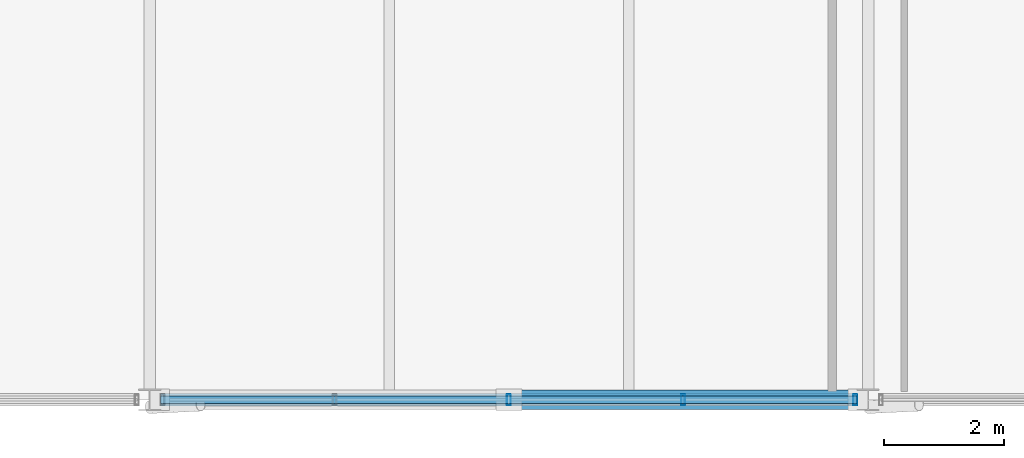
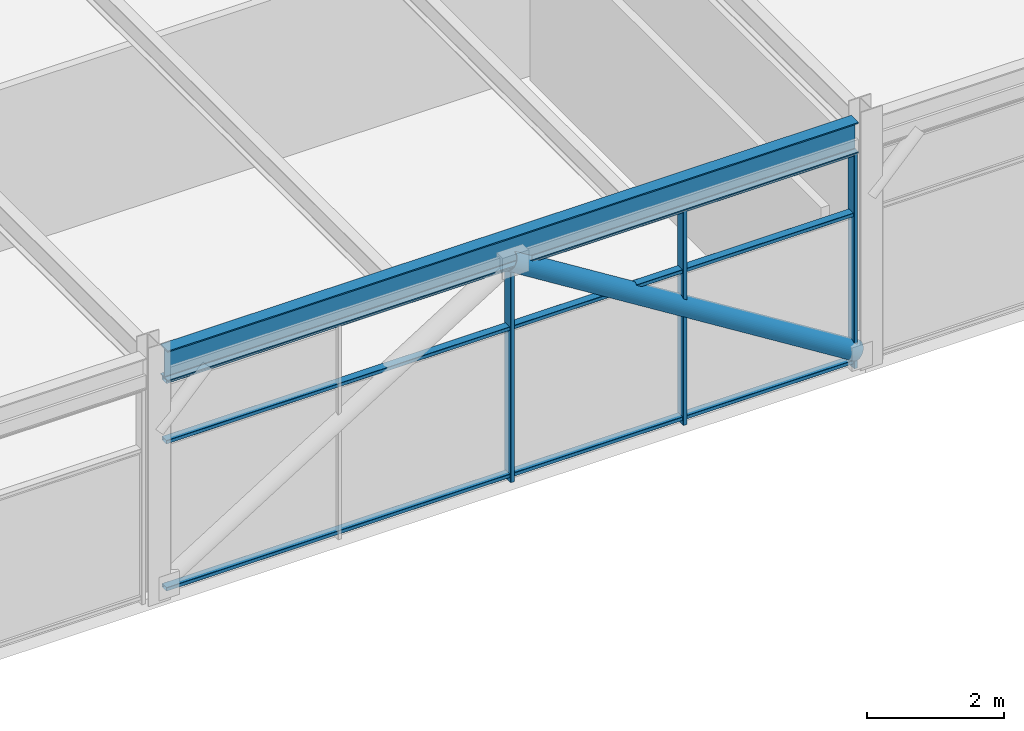
# One storey, part 6 of 28: 7 members, 1 beam, 1 element without a shape of its own.
"""IFC4 building model written with IfcOpenShell, lengths in metres."""

from ifc_helpers import new_model, si_unit, direction, frame, origin, origin_2d, place, context, subcontext, project, spatial, hollow_rectangle, hollow_circle, i_section, extrude, material, material_profile, profile_set, type_object, element, aggregate, save


model = new_model("IFC4")

# Units and contexts
model_context = context("Model", 3, precision=1e-05, world=origin(), true_north=direction((0.0, 1.0)))
body_context = subcontext(model_context, "Body", "Model", "MODEL_VIEW")
ifc_project = project(units=[si_unit("LENGTHUNIT", "METRE"), si_unit("AREAUNIT", "SQUARE_METRE"), si_unit("VOLUMEUNIT", "CUBIC_METRE"), si_unit("PLANEANGLEUNIT", "RADIAN"), si_unit("MASSUNIT", "GRAM", prefix="KILO")], contexts=[model_context])

# Site, building, storey
site_placement = place(None, origin())
site = spatial("IfcSite", under=ifc_project, at=site_placement, CompositionType="ELEMENT")
building_placement = place(site_placement, origin())
building = spatial("IfcBuilding", under=site, at=building_placement, Name="Girod Span Mobility Hub", CompositionType="ELEMENT")
storey_placement = place(building_placement, frame((0.0, 0.0, 69.60009765625)))
storey = spatial("IfcBuildingStorey", under=building, at=storey_placement, Name="L17", CompositionType="ELEMENT", Elevation=69.60009765625)

# Beam
ifc_material_1 = material(Name="Steel A992 Grade 50", Category="steel")
ifc_material_profile_1 = material_profile(ifc_material_1, i_section(OverallWidth=0.2119140625, OverallDepth=0.5439453125, WebThickness=0.01318359375, FlangeThickness=0.021240234375, FilletRadius=0.014892578125, at=origin_2d()), Name="W21X83")
ifc_profile_set_1 = profile_set([ifc_material_profile_1], Name="Steel A992 Grade 50")
beam_type = type_object("IfcBeamType", Name="BM-STL-W21X83", PredefinedType="SPANDREL", material=ifc_profile_set_1)
beam_placement = place(storey_placement, frame((60.181396484375, 45.0, 4.10791015625), z_axis=(1.0, 0.0, 0.0), x_axis=(0.0, 1.0, 0.0)))
element("IfcBeam", 1, at=beam_placement, inside=storey, type_object=beam_type, Name="Girder 6-7/D L17", PredefinedType="SPANDREL", context=body_context, shape_type="SweptSolid", body=[
    extrude(i_section(OverallWidth=0.2119140625, OverallDepth=0.5439453125, WebThickness=0.01318359375, FlangeThickness=0.021240234375, FilletRadius=0.014892578125, at=origin_2d()), origin(), (0.0, 0.0, 1.0), 11.63720703125),
])

# Curtain wall, members
ifc_material_2 = material(Name="Thermally Broken Anodised Aluminium", Category="aluminium")
curtain_wall_type = type_object("IfcCurtainWallType", Name="CW-1164X384", PredefinedType="USERDEFINED", material=ifc_material_2)
curtain_wall_placement = place(storey_placement, origin())
curtain_wall = element("IfcCurtainWall", 2, at=curtain_wall_placement, inside=storey, type_object=curtain_wall_type, Name="Unitised Curtain Wall CW-L17-S06 L17", ObjectType="UNITISED CURTAIN WALL", PredefinedType="USERDEFINED")
ifc_material_3 = material(Name="Thermally Broken Anodised Aluminium", Category="aluminium")
ifc_material_profile_2 = material_profile(ifc_material_3, hollow_rectangle(XDim=0.179931640625, YDim=0.06494140625, WallThickness=0.00390625, InnerFilletRadius=0.00390625, OuterFilletRadius=0.008056640625, at=origin_2d()), Name="CW-ML-65X180")
ifc_profile_set_2 = profile_set([ifc_material_profile_2], Name="Thermally Broken Anodised Aluminium")
member_type_1 = type_object("IfcMemberType", Name="CWM-ML-2", PredefinedType="MULLION", material=ifc_profile_set_2)
member_1_placement = place(storey_placement, frame((66.0, 45.0, 0.0), z_axis=(0.0, 0.0, 1.0), x_axis=(0.0, 1.0, 0.0)))
member_1 = element("IfcMember", 3, at=member_1_placement, type_object=member_type_1, Name="Curtain Wall Mullion CW-L17-S06-M2", PredefinedType="MULLION", context=body_context, shape_type="SweptSolid", body=[
    extrude(hollow_rectangle(XDim=0.179931640625, YDim=0.06494140625, WallThickness=0.00390625, InnerFilletRadius=0.00390625, OuterFilletRadius=0.008056640625, at=origin_2d()), origin(), (0.0, 0.0, 1.0), 3.8359375),
])
member_2_placement = place(storey_placement, frame((68.90869140625, 45.0, 0.0), z_axis=(0.0, 0.0, 1.0), x_axis=(0.0, 1.0, 0.0)))
member_2 = element("IfcMember", 4, at=member_2_placement, type_object=member_type_1, Name="Curtain Wall Mullion CW-L17-S06-M3", PredefinedType="MULLION", context=body_context, shape_type="SweptSolid", body=[
    extrude(hollow_rectangle(XDim=0.179931640625, YDim=0.06494140625, WallThickness=0.00390625, InnerFilletRadius=0.00390625, OuterFilletRadius=0.008056640625, at=origin_2d()), origin(), (0.0, 0.0, 1.0), 3.8359375),
])
member_3_placement = place(storey_placement, frame((71.785400390625, 45.0, 0.0), z_axis=(0.0, 0.0, 1.0), x_axis=(0.0, 1.0, 0.0)))
member_3 = element("IfcMember", 5, at=member_3_placement, type_object=member_type_1, Name="Curtain Wall Mullion CW-L17-S06-M4", PredefinedType="MULLION", context=body_context, shape_type="SweptSolid", body=[
    extrude(hollow_rectangle(XDim=0.179931640625, YDim=0.06494140625, WallThickness=0.00390625, InnerFilletRadius=0.00390625, OuterFilletRadius=0.008056640625, at=origin_2d()), origin(), (0.0, 0.0, 1.0), 3.8359375),
])
ifc_material_4 = material(Name="Thermally Broken Anodised Aluminium", Category="aluminium")
ifc_material_profile_3 = material_profile(ifc_material_4, hollow_rectangle(XDim=0.135009765625, YDim=0.06494140625, WallThickness=0.00390625, InnerFilletRadius=0.00390625, OuterFilletRadius=0.008056640625, at=origin_2d()), Name="CW-TR-65X135")
ifc_profile_set_3 = profile_set([ifc_material_profile_3], Name="Thermally Broken Anodised Aluminium")
member_type_2 = type_object("IfcMemberType", Name="CWM-TR-2", PredefinedType="USERDEFINED", material=ifc_profile_set_3)
member_4_placement = place(storey_placement, frame((60.1826171875, 45.0, 0.107421875), z_axis=(1.0, 0.0, 0.0), x_axis=(0.0, 1.0, 0.0)))
member_4 = element("IfcMember", 6, at=member_4_placement, type_object=member_type_2, Name="Curtain Wall Transom CW-L17-S06-T1", ObjectType="TRANSOM", PredefinedType="USERDEFINED", context=body_context, shape_type="SweptSolid", body=[
    extrude(hollow_rectangle(XDim=0.135009765625, YDim=0.06494140625, WallThickness=0.00390625, InnerFilletRadius=0.00390625, OuterFilletRadius=0.008056640625, at=origin_2d()), origin(), (0.0, 0.0, 1.0), 11.634765625),
])
member_5_placement = place(storey_placement, frame((60.1826171875, 45.0, 2.729248046875), z_axis=(1.0, 0.0, 0.0), x_axis=(0.0, 1.0, 0.0)))
member_5 = element("IfcMember", 7, at=member_5_placement, type_object=member_type_2, Name="Curtain Wall Transom CW-L17-S06-T2", ObjectType="TRANSOM", PredefinedType="USERDEFINED", context=body_context, shape_type="SweptSolid", body=[
    extrude(hollow_rectangle(XDim=0.135009765625, YDim=0.06494140625, WallThickness=0.00390625, InnerFilletRadius=0.00390625, OuterFilletRadius=0.008056640625, at=origin_2d()), origin(), (0.0, 0.0, 1.0), 11.634765625),
])
member_6_placement = place(storey_placement, frame((60.1826171875, 45.0, 3.803466796875), z_axis=(1.0, 0.0, 0.0), x_axis=(0.0, 1.0, 0.0)))
member_6 = element("IfcMember", 8, at=member_6_placement, type_object=member_type_2, Name="Curtain Wall Transom CW-L17-S06-T3", ObjectType="TRANSOM", PredefinedType="USERDEFINED", context=body_context, shape_type="SweptSolid", body=[
    extrude(hollow_rectangle(XDim=0.135009765625, YDim=0.06494140625, WallThickness=0.00390625, InnerFilletRadius=0.00390625, OuterFilletRadius=0.008056640625, at=origin_2d()), origin(), (0.0, 0.0, 1.0), 11.634765625),
])
aggregate(curtain_wall, [member_1, member_2, member_3, member_4, member_5, member_6])

# Member
ifc_material_5 = material(Name="Steel HSS A500 Grade C", Category="steel")
ifc_material_profile_4 = material_profile(ifc_material_5, hollow_circle(Radius=0.162109375, WallThickness=0.01171875, at=origin_2d()), Name="HSS324X12.7")
ifc_profile_set_4 = profile_set([ifc_material_profile_4], Name="Steel HSS A500 Grade C")
member_type_3 = type_object("IfcMemberType", Name="MB-BR-HSS324", PredefinedType="BRACE", material=ifc_profile_set_4)
member_7_placement = place(storey_placement, frame((71.83544921875, 45.0, 0.25), z_axis=(-0.848074041941, 0.0, 0.529877740036), x_axis=(0.0, -1.0, 0.0)))
element("IfcMember", 9, at=member_7_placement, inside=storey, type_object=member_type_3, Name="Upper Diagrid Brace 6/D-R L17", PredefinedType="BRACE", context=body_context, shape_type="SweptSolid", body=[
    extrude(hollow_circle(Radius=0.162109375, WallThickness=0.01171875, at=origin_2d()), origin(), (0.0, 0.0, 1.0), 6.880859375),
])

save(model, "model.ifc")
